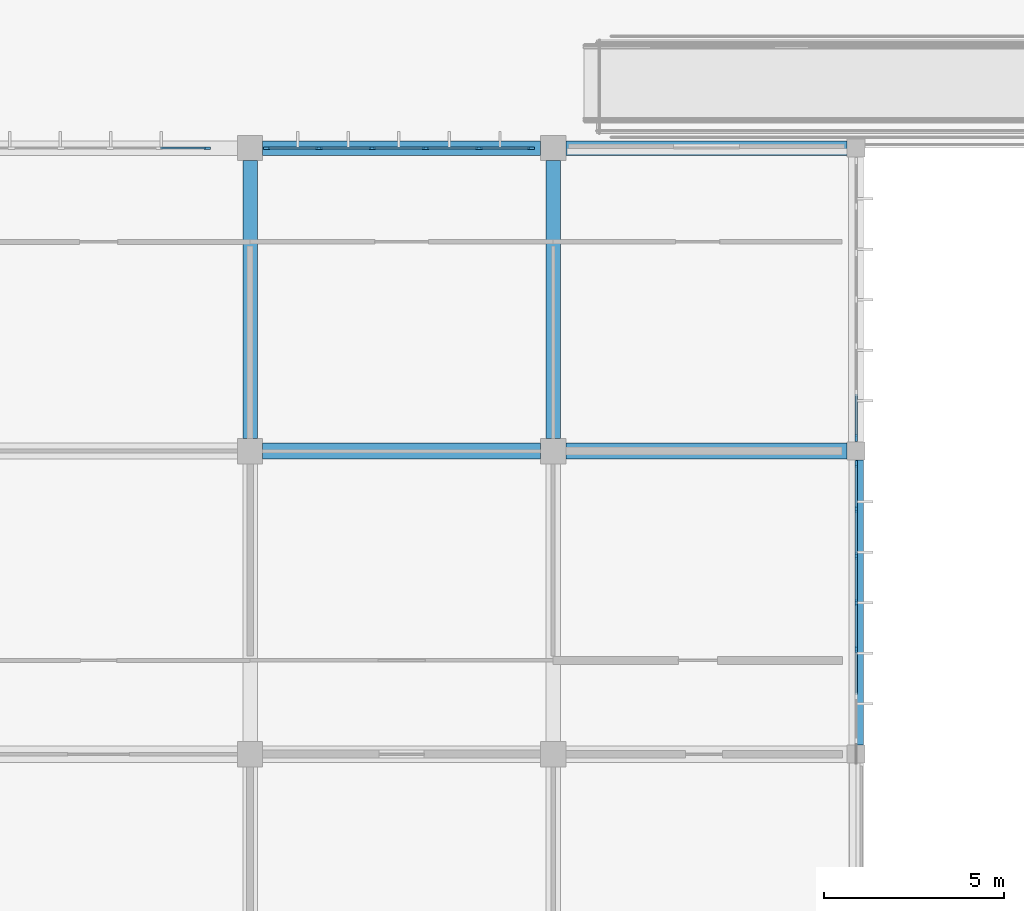
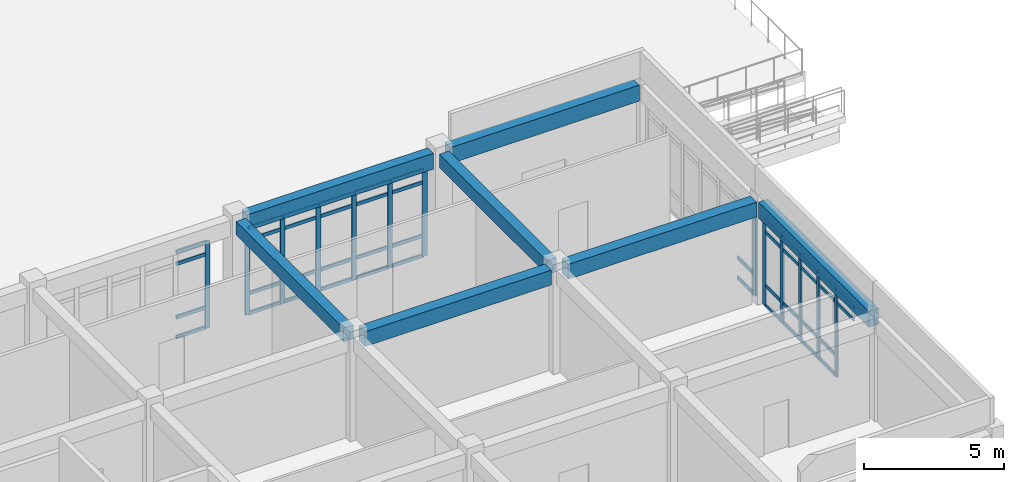
# One storey, part 50 of 138: 57 members, 7 beams, 4 elements without a shape of their own.
"""IFC4 building model written with IfcOpenShell, lengths in metres."""

from ifc_helpers import new_model, si_unit, direction, frame, origin, origin_2d, place, context, subcontext, project, spatial, rectangle, extrude, material, layer, layer_set, material_profile, profile_set, type_object, element, aggregate, save


model = new_model("IFC4")

# Units and contexts
model_context = context("Model", 3, precision=1e-05, world=origin(), true_north=direction((0.0, 1.0)))
body_context = subcontext(model_context, "Body", "Model", "MODEL_VIEW")
ifc_project = project(units=[si_unit("LENGTHUNIT", "METRE"), si_unit("AREAUNIT", "SQUARE_METRE"), si_unit("VOLUMEUNIT", "CUBIC_METRE"), si_unit("PLANEANGLEUNIT", "RADIAN"), si_unit("MASSUNIT", "GRAM", prefix="KILO")], contexts=[model_context])

# Site, building, storey
site_placement = place(None, origin())
site = spatial("IfcSite", under=ifc_project, at=site_placement, CompositionType="ELEMENT")
building_placement = place(site_placement, origin())
building = spatial("IfcBuilding", under=site, at=building_placement, Name="Bramfleet General Hospital", CompositionType="ELEMENT")
storey_placement = place(building_placement, origin())
storey = spatial("IfcBuildingStorey", under=building, at=storey_placement, Name="L00", CompositionType="ELEMENT", Elevation=0.0)

# Beams
ifc_material_1 = material(Name="Concrete C35/45", Category="concrete")
ifc_material_profile_1 = material_profile(ifc_material_1, rectangle(XDim=0.39990234375, YDim=0.60009765625, at=origin_2d()), Name="RC BM 600x400")
ifc_profile_set_1 = profile_set([ifc_material_profile_1], Name="Concrete C35/45")
beam_type_1 = type_object("IfcBeamType", Name="BM-RC600", PredefinedType="BEAM", material=ifc_profile_set_1)
for number, where, z_axis, x_axis, name in (
    (1, (159.60009765625, 17.14990234375, 4.199951171875), (0.0, 1.0, 0.0), (-1.0, 0.0, 0.0), "L00 Grid Beam Y 19-02"),
    (2, (168.0, 17.14990234375, 4.199951171875), (0.0, 1.0, 0.0), (-1.0, 0.0, 0.0), "L00 Grid Beam Y 20-02"),
):
    element("IfcBeam", number, at=place(storey_placement, frame(where, z_axis=z_axis, x_axis=x_axis)), inside=storey, type_object=beam_type_1, Name=name, PredefinedType="BEAM", context=body_context, shape_type="SweptSolid", body=[
        extrude(rectangle(XDim=0.39990234375, YDim=0.60009765625, at=origin_2d()), origin(), (0.0, 0.0, 1.0), 7.7001953125),
    ])
ifc_material_profile_2 = material_profile(ifc_material_1, rectangle(XDim=0.449951171875, YDim=0.64990234375, at=origin_2d()), Name="RC BM 650x450")
ifc_profile_set_2 = profile_set([ifc_material_profile_2], Name="Concrete C35/45")
beam_type_2 = type_object("IfcBeamType", Name="BM-RC650", PredefinedType="BEAM", material=ifc_profile_set_2)
beam_1_placement = place(storey_placement, frame((159.949951171875, 16.800048828125, 4.175048828125), z_axis=(1.0, 0.0, 0.0), x_axis=(0.0, 1.0, 0.0)))
element("IfcBeam", 3, at=beam_1_placement, inside=storey, type_object=beam_type_2, Name="L00 Grid Beam X 19-02", PredefinedType="BEAM", context=body_context, shape_type="SweptSolid", body=[
    extrude(rectangle(XDim=0.449951171875, YDim=0.64990234375, at=origin_2d()), origin(), (0.0, 0.0, 1.0), 7.699951171875),
])
beam_2_placement = place(storey_placement, frame((168.35009765625, 16.800048828125, 4.175048828125), z_axis=(1.0, 0.0, 0.0), x_axis=(0.0, 1.0, 0.0)))
element("IfcBeam", 4, at=beam_2_placement, inside=storey, type_object=beam_type_2, Name="L00 Grid Beam X 20-02", PredefinedType="BEAM", context=body_context, shape_type="SweptSolid", body=[
    extrude(rectangle(XDim=0.449951171875, YDim=0.64990234375, at=origin_2d()), origin(), (0.0, 0.0, 1.0), 7.7998046875),
])
ifc_material_profile_3 = material_profile(ifc_material_1, rectangle(XDim=0.39990234375, YDim=0.699951171875, at=origin_2d()), Name="RC SP 700x400")
ifc_profile_set_3 = profile_set([ifc_material_profile_3], Name="Concrete C35/45")
beam_type_3 = type_object("IfcBeamType", Name="BM-SP700", PredefinedType="SPANDREL", material=ifc_profile_set_3)
beam_3_placement = place(storey_placement, frame((159.949951171875, 25.199951171875, 4.14990234375), z_axis=(1.0, 0.0, 0.0), x_axis=(0.0, 1.0, 0.0)))
element("IfcBeam", 5, at=beam_3_placement, inside=storey, type_object=beam_type_3, Name="L00 Grid Beam X 19-03", PredefinedType="SPANDREL", context=body_context, shape_type="SweptSolid", body=[
    extrude(rectangle(XDim=0.39990234375, YDim=0.699951171875, at=origin_2d()), origin(), (0.0, 0.0, 1.0), 7.699951171875),
])
beam_4_placement = place(storey_placement, frame((168.35009765625, 25.199951171875, 4.14990234375), z_axis=(1.0, 0.0, 0.0), x_axis=(0.0, 1.0, 0.0)))
element("IfcBeam", 6, at=beam_4_placement, inside=storey, type_object=beam_type_3, Name="L00 Grid Beam X 20-03", PredefinedType="SPANDREL", context=body_context, shape_type="SweptSolid", body=[
    extrude(rectangle(XDim=0.39990234375, YDim=0.699951171875, at=origin_2d()), origin(), (0.0, 0.0, 1.0), 7.7998046875),
])
beam_5_placement = place(storey_placement, frame((176.39990234375, 8.64990234375, 4.14990234375), z_axis=(0.0, 1.0, 0.0), x_axis=(-1.0, 0.0, 0.0)))
element("IfcBeam", 7, at=beam_5_placement, inside=storey, type_object=beam_type_3, Name="L00 Grid Beam Y 21-01", PredefinedType="SPANDREL", context=body_context, shape_type="SweptSolid", body=[
    extrude(rectangle(XDim=0.39990234375, YDim=0.699951171875, at=origin_2d()), origin(), (0.0, 0.0, 1.0), 7.900146484375),
])

# Curtain wall, member
ifc_material_2 = material(Name="Anodised aluminium and low-E triple glazing", Category="aluminium")
ifc_layer_1 = layer(ifc_material_2, 0.179931640625, Name="CWT-CW-11")
ifc_layer_set_1 = layer_set([ifc_layer_1], Name="Anodised aluminium and low-E triple glazing")
curtain_wall_type_1 = type_object("IfcCurtainWallType", Name="CWT-CW-11", PredefinedType="USERDEFINED", material=ifc_layer_set_1)
curtain_wall_1_placement = place(storey_placement, origin())
curtain_wall_1 = element("IfcCurtainWall", 8, at=curtain_wall_1_placement, inside=storey, type_object=curtain_wall_type_1, Name="L00 Curtain Wall 29", ObjectType="Stick curtain wall", PredefinedType="USERDEFINED")
ifc_material_3 = material(Name="Structural timber GL28h", Category="wood")
ifc_material_profile_4 = material_profile(ifc_material_3, rectangle(XDim=0.070068359375, YDim=0.18994140625, at=origin_2d()), Name="LARCH 190x70")
ifc_profile_set_4 = profile_set([ifc_material_profile_4], Name="Structural timber GL28h")
member_type_1 = type_object("IfcMemberType", Name="CWM-LARCH450", PredefinedType="MULLION", material=ifc_profile_set_4)
member_1_placement = place(storey_placement, frame((158.4130859375, 25.199951171875, 0.0), z_axis=(0.0, 0.0, 1.0), x_axis=(0.0, 1.0, 0.0)))
member_1 = element("IfcMember", 9, at=member_1_placement, type_object=member_type_1, Name="CW-11 mullion 6", PredefinedType="MULLION", context=body_context, shape_type="SweptSolid", body=[
    extrude(rectangle(XDim=0.070068359375, YDim=0.18994140625, at=origin_2d()), origin(), (0.0, 0.0, 1.0), 3.7900390625),
])

# Curtain wall, members
ifc_layer_2 = layer(ifc_material_2, 0.179931640625, Name="CWT-CW-12")
ifc_layer_set_2 = layer_set([ifc_layer_2], Name="Anodised aluminium and low-E triple glazing")
curtain_wall_type_2 = type_object("IfcCurtainWallType", Name="CWT-CW-12", PredefinedType="USERDEFINED", material=ifc_layer_set_2)
curtain_wall_2_placement = place(storey_placement, origin())
curtain_wall_2 = element("IfcCurtainWall", 10, at=curtain_wall_2_placement, inside=storey, type_object=curtain_wall_type_2, Name="L00 Curtain Wall 30", ObjectType="Stick curtain wall", PredefinedType="USERDEFINED")
member_2_placement = place(storey_placement, frame((160.06005859375, 25.199951171875, 0.0), z_axis=(0.0, 0.0, 1.0), x_axis=(0.0, 1.0, 0.0)))
member_2 = element("IfcMember", 11, at=member_2_placement, type_object=member_type_1, Name="CW-12 mullion 1", PredefinedType="MULLION", context=body_context, shape_type="SweptSolid", body=[
    extrude(rectangle(XDim=0.070068359375, YDim=0.18994140625, at=origin_2d()), origin(), (0.0, 0.0, 1.0), 3.7900390625),
])
member_3_placement = place(storey_placement, frame((161.5048828125, 25.199951171875, 0.0), z_axis=(0.0, 0.0, 1.0), x_axis=(0.0, 1.0, 0.0)))
member_3 = element("IfcMember", 12, at=member_3_placement, type_object=member_type_1, Name="CW-12 mullion 2", PredefinedType="MULLION", context=body_context, shape_type="SweptSolid", body=[
    extrude(rectangle(XDim=0.070068359375, YDim=0.18994140625, at=origin_2d()), origin(), (0.0, 0.0, 1.0), 3.7900390625),
])
member_4_placement = place(storey_placement, frame((162.984619140625, 25.199951171875, 0.0), z_axis=(0.0, 0.0, 1.0), x_axis=(0.0, 1.0, 0.0)))
member_4 = element("IfcMember", 13, at=member_4_placement, type_object=member_type_1, Name="CW-12 mullion 3", PredefinedType="MULLION", context=body_context, shape_type="SweptSolid", body=[
    extrude(rectangle(XDim=0.070068359375, YDim=0.18994140625, at=origin_2d()), origin(), (0.0, 0.0, 1.0), 3.7900390625),
])
member_5_placement = place(storey_placement, frame((164.46435546875, 25.199951171875, 0.0), z_axis=(0.0, 0.0, 1.0), x_axis=(0.0, 1.0, 0.0)))
member_5 = element("IfcMember", 14, at=member_5_placement, type_object=member_type_1, Name="CW-12 mullion 4", PredefinedType="MULLION", context=body_context, shape_type="SweptSolid", body=[
    extrude(rectangle(XDim=0.070068359375, YDim=0.18994140625, at=origin_2d()), origin(), (0.0, 0.0, 1.0), 3.7900390625),
])
member_6_placement = place(storey_placement, frame((165.944091796875, 25.199951171875, 0.0), z_axis=(0.0, 0.0, 1.0), x_axis=(0.0, 1.0, 0.0)))
member_6 = element("IfcMember", 15, at=member_6_placement, type_object=member_type_1, Name="CW-12 mullion 5", PredefinedType="MULLION", context=body_context, shape_type="SweptSolid", body=[
    extrude(rectangle(XDim=0.070068359375, YDim=0.18994140625, at=origin_2d()), origin(), (0.0, 0.0, 1.0), 3.7900390625),
])
member_7_placement = place(storey_placement, frame((167.388916015625, 25.199951171875, 0.0), z_axis=(0.0, 0.0, 1.0), x_axis=(0.0, 1.0, 0.0)))
member_7 = element("IfcMember", 16, at=member_7_placement, type_object=member_type_1, Name="CW-12 mullion 6", PredefinedType="MULLION", context=body_context, shape_type="SweptSolid", body=[
    extrude(rectangle(XDim=0.070068359375, YDim=0.18994140625, at=origin_2d()), origin(), (0.0, 0.0, 1.0), 3.7900390625),
])

# Curtain wall, member
ifc_layer_3 = layer(ifc_material_2, 0.179931640625, Name="CWT-CW-13")
ifc_layer_set_3 = layer_set([ifc_layer_3], Name="Anodised aluminium and low-E triple glazing")
curtain_wall_type_3 = type_object("IfcCurtainWallType", Name="CWT-CW-13", PredefinedType="USERDEFINED", material=ifc_layer_set_3)
curtain_wall_3_placement = place(storey_placement, origin())
curtain_wall_3 = element("IfcCurtainWall", 17, at=curtain_wall_3_placement, inside=storey, type_object=curtain_wall_type_3, Name="L00 Curtain Wall 31", ObjectType="Stick curtain wall", PredefinedType="USERDEFINED")
member_8_placement = place(storey_placement, frame((176.39990234375, 17.159912109375, 0.0), z_axis=(0.0, 0.0, 1.0), x_axis=(1.0, 0.0, 0.0)))
member_8 = element("IfcMember", 18, at=member_8_placement, type_object=member_type_1, Name="CW-13 mullion 7", PredefinedType="MULLION", context=body_context, shape_type="SweptSolid", body=[
    extrude(rectangle(XDim=0.070068359375, YDim=0.18994140625, at=origin_2d()), origin(), (0.0, 0.0, 1.0), 3.7900390625),
])

# Curtain wall, members
ifc_layer_4 = layer(ifc_material_2, 0.179931640625, Name="CWT-CW-14")
ifc_layer_set_4 = layer_set([ifc_layer_4], Name="Anodised aluminium and low-E triple glazing")
curtain_wall_type_4 = type_object("IfcCurtainWallType", Name="CWT-CW-14", PredefinedType="USERDEFINED", material=ifc_layer_set_4)
curtain_wall_4_placement = place(storey_placement, origin())
curtain_wall_4 = element("IfcCurtainWall", 19, at=curtain_wall_4_placement, inside=storey, type_object=curtain_wall_type_4, Name="L00 Curtain Wall 32", ObjectType="Stick curtain wall", PredefinedType="USERDEFINED")
member_9_placement = place(storey_placement, frame((176.39990234375, 16.43994140625, 0.0), z_axis=(0.0, 0.0, 1.0), x_axis=(1.0, 0.0, 0.0)))
member_9 = element("IfcMember", 20, at=member_9_placement, type_object=member_type_1, Name="CW-14 mullion 1", PredefinedType="MULLION", context=body_context, shape_type="SweptSolid", body=[
    extrude(rectangle(XDim=0.070068359375, YDim=0.18994140625, at=origin_2d()), origin(), (0.0, 0.0, 1.0), 3.7900390625),
])
member_10_placement = place(storey_placement, frame((176.39990234375, 15.183349609375, 0.0), z_axis=(0.0, 0.0, 1.0), x_axis=(1.0, 0.0, 0.0)))
member_10 = element("IfcMember", 21, at=member_10_placement, type_object=member_type_1, Name="CW-14 mullion 2", PredefinedType="MULLION", context=body_context, shape_type="SweptSolid", body=[
    extrude(rectangle(XDim=0.070068359375, YDim=0.18994140625, at=origin_2d()), origin(), (0.0, 0.0, 1.0), 3.7900390625),
])
member_11_placement = place(storey_placement, frame((176.39990234375, 13.8916015625, 0.0), z_axis=(0.0, 0.0, 1.0), x_axis=(1.0, 0.0, 0.0)))
member_11 = element("IfcMember", 22, at=member_11_placement, type_object=member_type_1, Name="CW-14 mullion 3", PredefinedType="MULLION", context=body_context, shape_type="SweptSolid", body=[
    extrude(rectangle(XDim=0.070068359375, YDim=0.18994140625, at=origin_2d()), origin(), (0.0, 0.0, 1.0), 3.7900390625),
])
member_12_placement = place(storey_placement, frame((176.39990234375, 12.60009765625, 0.0), z_axis=(0.0, 0.0, 1.0), x_axis=(1.0, 0.0, 0.0)))
member_12 = element("IfcMember", 23, at=member_12_placement, type_object=member_type_1, Name="CW-14 mullion 4", PredefinedType="MULLION", context=body_context, shape_type="SweptSolid", body=[
    extrude(rectangle(XDim=0.070068359375, YDim=0.18994140625, at=origin_2d()), origin(), (0.0, 0.0, 1.0), 3.7900390625),
])
member_13_placement = place(storey_placement, frame((176.39990234375, 11.308349609375, 0.0), z_axis=(0.0, 0.0, 1.0), x_axis=(1.0, 0.0, 0.0)))
member_13 = element("IfcMember", 24, at=member_13_placement, type_object=member_type_1, Name="CW-14 mullion 5", PredefinedType="MULLION", context=body_context, shape_type="SweptSolid", body=[
    extrude(rectangle(XDim=0.070068359375, YDim=0.18994140625, at=origin_2d()), origin(), (0.0, 0.0, 1.0), 3.7900390625),
])

# Member
ifc_material_profile_5 = material_profile(ifc_material_3, rectangle(XDim=0.06494140625, YDim=0.14990234375, at=origin_2d()), Name="LARCH 150x65")
ifc_profile_set_5 = profile_set([ifc_material_profile_5], Name="Structural timber GL28h")
member_type_2 = type_object("IfcMemberType", Name="CWT-LARCH220", PredefinedType="USERDEFINED", material=ifc_profile_set_5)
member_14_placement = place(storey_placement, frame((157.118408203125, 25.199951171875, 0.032470703125), z_axis=(1.0, 0.0, 0.0), x_axis=(0.0, 1.0, 0.0)))
member_14 = element("IfcMember", 25, at=member_14_placement, type_object=member_type_2, Name="CW-11 transom 5.1", ObjectType="TRANSOM", PredefinedType="USERDEFINED", context=body_context, shape_type="SweptSolid", body=[
    extrude(rectangle(XDim=0.06494140625, YDim=0.14990234375, at=origin_2d()), origin(), (0.0, 0.0, 1.0), 1.259521484375),
])

member_15_placement = place(storey_placement, frame((157.118408203125, 25.199951171875, 0.89990234375), z_axis=(1.0, 0.0, 0.0), x_axis=(0.0, 1.0, 0.0)))
member_15 = element("IfcMember", 26, at=member_15_placement, type_object=member_type_2, Name="CW-11 transom 5.2", ObjectType="TRANSOM", PredefinedType="USERDEFINED", context=body_context, shape_type="SweptSolid", body=[
    extrude(rectangle(XDim=0.06494140625, YDim=0.14990234375, at=origin_2d()), origin(), (0.0, 0.0, 1.0), 1.259521484375),
])

member_16_placement = place(storey_placement, frame((157.118408203125, 25.199951171875, 3.239990234375), z_axis=(1.0, 0.0, 0.0), x_axis=(0.0, 1.0, 0.0)))
member_16 = element("IfcMember", 27, at=member_16_placement, type_object=member_type_2, Name="CW-11 transom 5.3", ObjectType="TRANSOM", PredefinedType="USERDEFINED", context=body_context, shape_type="SweptSolid", body=[
    extrude(rectangle(XDim=0.06494140625, YDim=0.14990234375, at=origin_2d()), origin(), (0.0, 0.0, 1.0), 1.259521484375),
])

member_17_placement = place(storey_placement, frame((157.118408203125, 25.199951171875, 3.757568359375), z_axis=(1.0, 0.0, 0.0), x_axis=(0.0, 1.0, 0.0)))
member_17 = element("IfcMember", 28, at=member_17_placement, type_object=member_type_2, Name="CW-11 transom 5.4", ObjectType="TRANSOM", PredefinedType="USERDEFINED", context=body_context, shape_type="SweptSolid", body=[
    extrude(rectangle(XDim=0.06494140625, YDim=0.14990234375, at=origin_2d()), origin(), (0.0, 0.0, 1.0), 1.259521484375),
])

aggregate(curtain_wall_1, [member_1, member_14, member_15, member_16, member_17])

member_18_placement = place(storey_placement, frame((160.094970703125, 25.199951171875, 0.032470703125), z_axis=(1.0, 0.0, 0.0), x_axis=(0.0, 1.0, 0.0)))
member_18 = element("IfcMember", 29, at=member_18_placement, type_object=member_type_2, Name="CW-12 transom 1.1", ObjectType="TRANSOM", PredefinedType="USERDEFINED", context=body_context, shape_type="SweptSolid", body=[
    extrude(rectangle(XDim=0.06494140625, YDim=0.14990234375, at=origin_2d()), origin(), (0.0, 0.0, 1.0), 1.374755859375),
])

member_19_placement = place(storey_placement, frame((160.094970703125, 25.199951171875, 0.89990234375), z_axis=(1.0, 0.0, 0.0), x_axis=(0.0, 1.0, 0.0)))
member_19 = element("IfcMember", 30, at=member_19_placement, type_object=member_type_2, Name="CW-12 transom 1.2", ObjectType="TRANSOM", PredefinedType="USERDEFINED", context=body_context, shape_type="SweptSolid", body=[
    extrude(rectangle(XDim=0.06494140625, YDim=0.14990234375, at=origin_2d()), origin(), (0.0, 0.0, 1.0), 1.374755859375),
])

member_20_placement = place(storey_placement, frame((160.094970703125, 25.199951171875, 3.239990234375), z_axis=(1.0, 0.0, 0.0), x_axis=(0.0, 1.0, 0.0)))
member_20 = element("IfcMember", 31, at=member_20_placement, type_object=member_type_2, Name="CW-12 transom 1.3", ObjectType="TRANSOM", PredefinedType="USERDEFINED", context=body_context, shape_type="SweptSolid", body=[
    extrude(rectangle(XDim=0.06494140625, YDim=0.14990234375, at=origin_2d()), origin(), (0.0, 0.0, 1.0), 1.374755859375),
])

member_21_placement = place(storey_placement, frame((160.094970703125, 25.199951171875, 3.757568359375), z_axis=(1.0, 0.0, 0.0), x_axis=(0.0, 1.0, 0.0)))
member_21 = element("IfcMember", 32, at=member_21_placement, type_object=member_type_2, Name="CW-12 transom 1.4", ObjectType="TRANSOM", PredefinedType="USERDEFINED", context=body_context, shape_type="SweptSolid", body=[
    extrude(rectangle(XDim=0.06494140625, YDim=0.14990234375, at=origin_2d()), origin(), (0.0, 0.0, 1.0), 1.374755859375),
])

member_22_placement = place(storey_placement, frame((161.539794921875, 25.199951171875, 0.032470703125), z_axis=(1.0, 0.0, 0.0), x_axis=(0.0, 1.0, 0.0)))
member_22 = element("IfcMember", 33, at=member_22_placement, type_object=member_type_2, Name="CW-12 transom 2.1", ObjectType="TRANSOM", PredefinedType="USERDEFINED", context=body_context, shape_type="SweptSolid", body=[
    extrude(rectangle(XDim=0.06494140625, YDim=0.14990234375, at=origin_2d()), origin(), (0.0, 0.0, 1.0), 1.409912109375),
])

member_23_placement = place(storey_placement, frame((161.539794921875, 25.199951171875, 0.89990234375), z_axis=(1.0, 0.0, 0.0), x_axis=(0.0, 1.0, 0.0)))
member_23 = element("IfcMember", 34, at=member_23_placement, type_object=member_type_2, Name="CW-12 transom 2.2", ObjectType="TRANSOM", PredefinedType="USERDEFINED", context=body_context, shape_type="SweptSolid", body=[
    extrude(rectangle(XDim=0.06494140625, YDim=0.14990234375, at=origin_2d()), origin(), (0.0, 0.0, 1.0), 1.409912109375),
])

member_24_placement = place(storey_placement, frame((161.539794921875, 25.199951171875, 3.239990234375), z_axis=(1.0, 0.0, 0.0), x_axis=(0.0, 1.0, 0.0)))
member_24 = element("IfcMember", 35, at=member_24_placement, type_object=member_type_2, Name="CW-12 transom 2.3", ObjectType="TRANSOM", PredefinedType="USERDEFINED", context=body_context, shape_type="SweptSolid", body=[
    extrude(rectangle(XDim=0.06494140625, YDim=0.14990234375, at=origin_2d()), origin(), (0.0, 0.0, 1.0), 1.409912109375),
])

member_25_placement = place(storey_placement, frame((161.539794921875, 25.199951171875, 3.757568359375), z_axis=(1.0, 0.0, 0.0), x_axis=(0.0, 1.0, 0.0)))
member_25 = element("IfcMember", 36, at=member_25_placement, type_object=member_type_2, Name="CW-12 transom 2.4", ObjectType="TRANSOM", PredefinedType="USERDEFINED", context=body_context, shape_type="SweptSolid", body=[
    extrude(rectangle(XDim=0.06494140625, YDim=0.14990234375, at=origin_2d()), origin(), (0.0, 0.0, 1.0), 1.409912109375),
])

member_26_placement = place(storey_placement, frame((163.01953125, 25.199951171875, 0.032470703125), z_axis=(1.0, 0.0, 0.0), x_axis=(0.0, 1.0, 0.0)))
member_26 = element("IfcMember", 37, at=member_26_placement, type_object=member_type_2, Name="CW-12 transom 3.1", ObjectType="TRANSOM", PredefinedType="USERDEFINED", context=body_context, shape_type="SweptSolid", body=[
    extrude(rectangle(XDim=0.06494140625, YDim=0.14990234375, at=origin_2d()), origin(), (0.0, 0.0, 1.0), 1.409912109375),
])

member_27_placement = place(storey_placement, frame((163.01953125, 25.199951171875, 0.89990234375), z_axis=(1.0, 0.0, 0.0), x_axis=(0.0, 1.0, 0.0)))
member_27 = element("IfcMember", 38, at=member_27_placement, type_object=member_type_2, Name="CW-12 transom 3.2", ObjectType="TRANSOM", PredefinedType="USERDEFINED", context=body_context, shape_type="SweptSolid", body=[
    extrude(rectangle(XDim=0.06494140625, YDim=0.14990234375, at=origin_2d()), origin(), (0.0, 0.0, 1.0), 1.409912109375),
])

member_28_placement = place(storey_placement, frame((163.01953125, 25.199951171875, 3.239990234375), z_axis=(1.0, 0.0, 0.0), x_axis=(0.0, 1.0, 0.0)))
member_28 = element("IfcMember", 39, at=member_28_placement, type_object=member_type_2, Name="CW-12 transom 3.3", ObjectType="TRANSOM", PredefinedType="USERDEFINED", context=body_context, shape_type="SweptSolid", body=[
    extrude(rectangle(XDim=0.06494140625, YDim=0.14990234375, at=origin_2d()), origin(), (0.0, 0.0, 1.0), 1.409912109375),
])

member_29_placement = place(storey_placement, frame((163.01953125, 25.199951171875, 3.757568359375), z_axis=(1.0, 0.0, 0.0), x_axis=(0.0, 1.0, 0.0)))
member_29 = element("IfcMember", 40, at=member_29_placement, type_object=member_type_2, Name="CW-12 transom 3.4", ObjectType="TRANSOM", PredefinedType="USERDEFINED", context=body_context, shape_type="SweptSolid", body=[
    extrude(rectangle(XDim=0.06494140625, YDim=0.14990234375, at=origin_2d()), origin(), (0.0, 0.0, 1.0), 1.409912109375),
])

member_30_placement = place(storey_placement, frame((164.49951171875, 25.199951171875, 0.032470703125), z_axis=(1.0, 0.0, 0.0), x_axis=(0.0, 1.0, 0.0)))
member_30 = element("IfcMember", 41, at=member_30_placement, type_object=member_type_2, Name="CW-12 transom 4.1", ObjectType="TRANSOM", PredefinedType="USERDEFINED", context=body_context, shape_type="SweptSolid", body=[
    extrude(rectangle(XDim=0.06494140625, YDim=0.14990234375, at=origin_2d()), origin(), (0.0, 0.0, 1.0), 1.40966796875),
])

member_31_placement = place(storey_placement, frame((164.49951171875, 25.199951171875, 0.89990234375), z_axis=(1.0, 0.0, 0.0), x_axis=(0.0, 1.0, 0.0)))
member_31 = element("IfcMember", 42, at=member_31_placement, type_object=member_type_2, Name="CW-12 transom 4.2", ObjectType="TRANSOM", PredefinedType="USERDEFINED", context=body_context, shape_type="SweptSolid", body=[
    extrude(rectangle(XDim=0.06494140625, YDim=0.14990234375, at=origin_2d()), origin(), (0.0, 0.0, 1.0), 1.40966796875),
])

member_32_placement = place(storey_placement, frame((164.49951171875, 25.199951171875, 3.239990234375), z_axis=(1.0, 0.0, 0.0), x_axis=(0.0, 1.0, 0.0)))
member_32 = element("IfcMember", 43, at=member_32_placement, type_object=member_type_2, Name="CW-12 transom 4.3", ObjectType="TRANSOM", PredefinedType="USERDEFINED", context=body_context, shape_type="SweptSolid", body=[
    extrude(rectangle(XDim=0.06494140625, YDim=0.14990234375, at=origin_2d()), origin(), (0.0, 0.0, 1.0), 1.40966796875),
])

member_33_placement = place(storey_placement, frame((164.49951171875, 25.199951171875, 3.757568359375), z_axis=(1.0, 0.0, 0.0), x_axis=(0.0, 1.0, 0.0)))
member_33 = element("IfcMember", 44, at=member_33_placement, type_object=member_type_2, Name="CW-12 transom 4.4", ObjectType="TRANSOM", PredefinedType="USERDEFINED", context=body_context, shape_type="SweptSolid", body=[
    extrude(rectangle(XDim=0.06494140625, YDim=0.14990234375, at=origin_2d()), origin(), (0.0, 0.0, 1.0), 1.40966796875),
])

member_34_placement = place(storey_placement, frame((165.979248046875, 25.199951171875, 0.032470703125), z_axis=(1.0, 0.0, 0.0), x_axis=(0.0, 1.0, 0.0)))
member_34 = element("IfcMember", 45, at=member_34_placement, type_object=member_type_2, Name="CW-12 transom 5.1", ObjectType="TRANSOM", PredefinedType="USERDEFINED", context=body_context, shape_type="SweptSolid", body=[
    extrude(rectangle(XDim=0.06494140625, YDim=0.14990234375, at=origin_2d()), origin(), (0.0, 0.0, 1.0), 1.374755859375),
])

member_35_placement = place(storey_placement, frame((165.979248046875, 25.199951171875, 0.89990234375), z_axis=(1.0, 0.0, 0.0), x_axis=(0.0, 1.0, 0.0)))
member_35 = element("IfcMember", 46, at=member_35_placement, type_object=member_type_2, Name="CW-12 transom 5.2", ObjectType="TRANSOM", PredefinedType="USERDEFINED", context=body_context, shape_type="SweptSolid", body=[
    extrude(rectangle(XDim=0.06494140625, YDim=0.14990234375, at=origin_2d()), origin(), (0.0, 0.0, 1.0), 1.374755859375),
])

member_36_placement = place(storey_placement, frame((165.979248046875, 25.199951171875, 3.239990234375), z_axis=(1.0, 0.0, 0.0), x_axis=(0.0, 1.0, 0.0)))
member_36 = element("IfcMember", 47, at=member_36_placement, type_object=member_type_2, Name="CW-12 transom 5.3", ObjectType="TRANSOM", PredefinedType="USERDEFINED", context=body_context, shape_type="SweptSolid", body=[
    extrude(rectangle(XDim=0.06494140625, YDim=0.14990234375, at=origin_2d()), origin(), (0.0, 0.0, 1.0), 1.374755859375),
])

member_37_placement = place(storey_placement, frame((165.979248046875, 25.199951171875, 3.757568359375), z_axis=(1.0, 0.0, 0.0), x_axis=(0.0, 1.0, 0.0)))
member_37 = element("IfcMember", 48, at=member_37_placement, type_object=member_type_2, Name="CW-12 transom 5.4", ObjectType="TRANSOM", PredefinedType="USERDEFINED", context=body_context, shape_type="SweptSolid", body=[
    extrude(rectangle(XDim=0.06494140625, YDim=0.14990234375, at=origin_2d()), origin(), (0.0, 0.0, 1.0), 1.374755859375),
])

aggregate(curtain_wall_2, [member_2, member_3, member_4, member_5, member_6, member_7, member_18, member_19, member_20, member_21, member_22, member_23, member_24, member_25, member_26, member_27, member_28, member_29, member_30, member_31, member_32, member_33, member_34, member_35, member_36, member_37])

member_38_placement = place(storey_placement, frame((176.39990234375, 18.381591796875, 0.032470703125), z_axis=(0.0, -1.0, 0.0), x_axis=(1.0, 0.0, 0.0)))
member_38 = element("IfcMember", 49, at=member_38_placement, type_object=member_type_2, Name="CW-13 transom 6.1", ObjectType="TRANSOM", PredefinedType="USERDEFINED", context=body_context, shape_type="SweptSolid", body=[
    extrude(rectangle(XDim=0.06494140625, YDim=0.14990234375, at=origin_2d()), origin(), (0.0, 0.0, 1.0), 1.1865234375),
])

member_39_placement = place(storey_placement, frame((176.39990234375, 18.381591796875, 0.89990234375), z_axis=(0.0, -1.0, 0.0), x_axis=(1.0, 0.0, 0.0)))
member_39 = element("IfcMember", 50, at=member_39_placement, type_object=member_type_2, Name="CW-13 transom 6.2", ObjectType="TRANSOM", PredefinedType="USERDEFINED", context=body_context, shape_type="SweptSolid", body=[
    extrude(rectangle(XDim=0.06494140625, YDim=0.14990234375, at=origin_2d()), origin(), (0.0, 0.0, 1.0), 1.1865234375),
])

aggregate(curtain_wall_3, [member_8, member_38, member_39])

member_40_placement = place(storey_placement, frame((176.39990234375, 16.405029296875, 0.032470703125), z_axis=(0.0, -1.0, 0.0), x_axis=(1.0, 0.0, 0.0)))
member_40 = element("IfcMember", 51, at=member_40_placement, type_object=member_type_2, Name="CW-14 transom 1.1", ObjectType="TRANSOM", PredefinedType="USERDEFINED", context=body_context, shape_type="SweptSolid", body=[
    extrude(rectangle(XDim=0.06494140625, YDim=0.14990234375, at=origin_2d()), origin(), (0.0, 0.0, 1.0), 1.186767578125),
])

member_41_placement = place(storey_placement, frame((176.39990234375, 16.405029296875, 0.89990234375), z_axis=(0.0, -1.0, 0.0), x_axis=(1.0, 0.0, 0.0)))
member_41 = element("IfcMember", 52, at=member_41_placement, type_object=member_type_2, Name="CW-14 transom 1.2", ObjectType="TRANSOM", PredefinedType="USERDEFINED", context=body_context, shape_type="SweptSolid", body=[
    extrude(rectangle(XDim=0.06494140625, YDim=0.14990234375, at=origin_2d()), origin(), (0.0, 0.0, 1.0), 1.186767578125),
])

member_42_placement = place(storey_placement, frame((176.39990234375, 16.405029296875, 3.239990234375), z_axis=(0.0, -1.0, 0.0), x_axis=(1.0, 0.0, 0.0)))
member_42 = element("IfcMember", 53, at=member_42_placement, type_object=member_type_2, Name="CW-14 transom 1.3", ObjectType="TRANSOM", PredefinedType="USERDEFINED", context=body_context, shape_type="SweptSolid", body=[
    extrude(rectangle(XDim=0.06494140625, YDim=0.14990234375, at=origin_2d()), origin(), (0.0, 0.0, 1.0), 1.186767578125),
])

member_43_placement = place(storey_placement, frame((176.39990234375, 16.405029296875, 3.757568359375), z_axis=(0.0, -1.0, 0.0), x_axis=(1.0, 0.0, 0.0)))
member_43 = element("IfcMember", 54, at=member_43_placement, type_object=member_type_2, Name="CW-14 transom 1.4", ObjectType="TRANSOM", PredefinedType="USERDEFINED", context=body_context, shape_type="SweptSolid", body=[
    extrude(rectangle(XDim=0.06494140625, YDim=0.14990234375, at=origin_2d()), origin(), (0.0, 0.0, 1.0), 1.186767578125),
])

member_44_placement = place(storey_placement, frame((176.39990234375, 15.1484375, 0.032470703125), z_axis=(0.0, -1.0, 0.0), x_axis=(1.0, 0.0, 0.0)))
member_44 = element("IfcMember", 55, at=member_44_placement, type_object=member_type_2, Name="CW-14 transom 2.1", ObjectType="TRANSOM", PredefinedType="USERDEFINED", context=body_context, shape_type="SweptSolid", body=[
    extrude(rectangle(XDim=0.06494140625, YDim=0.14990234375, at=origin_2d()), origin(), (0.0, 0.0, 1.0), 1.2216796875),
])

member_45_placement = place(storey_placement, frame((176.39990234375, 15.1484375, 0.89990234375), z_axis=(0.0, -1.0, 0.0), x_axis=(1.0, 0.0, 0.0)))
member_45 = element("IfcMember", 56, at=member_45_placement, type_object=member_type_2, Name="CW-14 transom 2.2", ObjectType="TRANSOM", PredefinedType="USERDEFINED", context=body_context, shape_type="SweptSolid", body=[
    extrude(rectangle(XDim=0.06494140625, YDim=0.14990234375, at=origin_2d()), origin(), (0.0, 0.0, 1.0), 1.2216796875),
])

member_46_placement = place(storey_placement, frame((176.39990234375, 15.1484375, 3.239990234375), z_axis=(0.0, -1.0, 0.0), x_axis=(1.0, 0.0, 0.0)))
member_46 = element("IfcMember", 57, at=member_46_placement, type_object=member_type_2, Name="CW-14 transom 2.3", ObjectType="TRANSOM", PredefinedType="USERDEFINED", context=body_context, shape_type="SweptSolid", body=[
    extrude(rectangle(XDim=0.06494140625, YDim=0.14990234375, at=origin_2d()), origin(), (0.0, 0.0, 1.0), 1.2216796875),
])

member_47_placement = place(storey_placement, frame((176.39990234375, 15.1484375, 3.757568359375), z_axis=(0.0, -1.0, 0.0), x_axis=(1.0, 0.0, 0.0)))
member_47 = element("IfcMember", 58, at=member_47_placement, type_object=member_type_2, Name="CW-14 transom 2.4", ObjectType="TRANSOM", PredefinedType="USERDEFINED", context=body_context, shape_type="SweptSolid", body=[
    extrude(rectangle(XDim=0.06494140625, YDim=0.14990234375, at=origin_2d()), origin(), (0.0, 0.0, 1.0), 1.2216796875),
])

member_48_placement = place(storey_placement, frame((176.39990234375, 13.856689453125, 0.032470703125), z_axis=(0.0, -1.0, 0.0), x_axis=(1.0, 0.0, 0.0)))
member_48 = element("IfcMember", 59, at=member_48_placement, type_object=member_type_2, Name="CW-14 transom 3.1", ObjectType="TRANSOM", PredefinedType="USERDEFINED", context=body_context, shape_type="SweptSolid", body=[
    extrude(rectangle(XDim=0.06494140625, YDim=0.14990234375, at=origin_2d()), origin(), (0.0, 0.0, 1.0), 1.2216796875),
])

member_49_placement = place(storey_placement, frame((176.39990234375, 13.856689453125, 0.89990234375), z_axis=(0.0, -1.0, 0.0), x_axis=(1.0, 0.0, 0.0)))
member_49 = element("IfcMember", 60, at=member_49_placement, type_object=member_type_2, Name="CW-14 transom 3.2", ObjectType="TRANSOM", PredefinedType="USERDEFINED", context=body_context, shape_type="SweptSolid", body=[
    extrude(rectangle(XDim=0.06494140625, YDim=0.14990234375, at=origin_2d()), origin(), (0.0, 0.0, 1.0), 1.2216796875),
])

member_50_placement = place(storey_placement, frame((176.39990234375, 13.856689453125, 3.239990234375), z_axis=(0.0, -1.0, 0.0), x_axis=(1.0, 0.0, 0.0)))
member_50 = element("IfcMember", 61, at=member_50_placement, type_object=member_type_2, Name="CW-14 transom 3.3", ObjectType="TRANSOM", PredefinedType="USERDEFINED", context=body_context, shape_type="SweptSolid", body=[
    extrude(rectangle(XDim=0.06494140625, YDim=0.14990234375, at=origin_2d()), origin(), (0.0, 0.0, 1.0), 1.2216796875),
])

member_51_placement = place(storey_placement, frame((176.39990234375, 13.856689453125, 3.757568359375), z_axis=(0.0, -1.0, 0.0), x_axis=(1.0, 0.0, 0.0)))
member_51 = element("IfcMember", 62, at=member_51_placement, type_object=member_type_2, Name="CW-14 transom 3.4", ObjectType="TRANSOM", PredefinedType="USERDEFINED", context=body_context, shape_type="SweptSolid", body=[
    extrude(rectangle(XDim=0.06494140625, YDim=0.14990234375, at=origin_2d()), origin(), (0.0, 0.0, 1.0), 1.2216796875),
])

member_52_placement = place(storey_placement, frame((176.39990234375, 12.56494140625, 0.032470703125), z_axis=(0.0, -1.0, 0.0), x_axis=(1.0, 0.0, 0.0)))
member_52 = element("IfcMember", 63, at=member_52_placement, type_object=member_type_2, Name="CW-14 transom 4.1", ObjectType="TRANSOM", PredefinedType="USERDEFINED", context=body_context, shape_type="SweptSolid", body=[
    extrude(rectangle(XDim=0.06494140625, YDim=0.14990234375, at=origin_2d()), origin(), (0.0, 0.0, 1.0), 1.2216796875),
])

member_53_placement = place(storey_placement, frame((176.39990234375, 12.56494140625, 0.89990234375), z_axis=(0.0, -1.0, 0.0), x_axis=(1.0, 0.0, 0.0)))
member_53 = element("IfcMember", 64, at=member_53_placement, type_object=member_type_2, Name="CW-14 transom 4.2", ObjectType="TRANSOM", PredefinedType="USERDEFINED", context=body_context, shape_type="SweptSolid", body=[
    extrude(rectangle(XDim=0.06494140625, YDim=0.14990234375, at=origin_2d()), origin(), (0.0, 0.0, 1.0), 1.2216796875),
])

member_54_placement = place(storey_placement, frame((176.39990234375, 12.56494140625, 3.239990234375), z_axis=(0.0, -1.0, 0.0), x_axis=(1.0, 0.0, 0.0)))
member_54 = element("IfcMember", 65, at=member_54_placement, type_object=member_type_2, Name="CW-14 transom 4.3", ObjectType="TRANSOM", PredefinedType="USERDEFINED", context=body_context, shape_type="SweptSolid", body=[
    extrude(rectangle(XDim=0.06494140625, YDim=0.14990234375, at=origin_2d()), origin(), (0.0, 0.0, 1.0), 1.2216796875),
])

member_55_placement = place(storey_placement, frame((176.39990234375, 12.56494140625, 3.757568359375), z_axis=(0.0, -1.0, 0.0), x_axis=(1.0, 0.0, 0.0)))
member_55 = element("IfcMember", 66, at=member_55_placement, type_object=member_type_2, Name="CW-14 transom 4.4", ObjectType="TRANSOM", PredefinedType="USERDEFINED", context=body_context, shape_type="SweptSolid", body=[
    extrude(rectangle(XDim=0.06494140625, YDim=0.14990234375, at=origin_2d()), origin(), (0.0, 0.0, 1.0), 1.2216796875),
])

member_56_placement = place(storey_placement, frame((176.39990234375, 11.2734375, 3.239990234375), z_axis=(0.0, -1.0, 0.0), x_axis=(1.0, 0.0, 0.0)))
member_56 = element("IfcMember", 67, at=member_56_placement, type_object=member_type_2, Name="CW-14 transom 5.3", ObjectType="TRANSOM", PredefinedType="USERDEFINED", context=body_context, shape_type="SweptSolid", body=[
    extrude(rectangle(XDim=0.06494140625, YDim=0.14990234375, at=origin_2d()), origin(), (0.0, 0.0, 1.0), 1.2216796875),
])

member_57_placement = place(storey_placement, frame((176.39990234375, 11.2734375, 3.757568359375), z_axis=(0.0, -1.0, 0.0), x_axis=(1.0, 0.0, 0.0)))
member_57 = element("IfcMember", 68, at=member_57_placement, type_object=member_type_2, Name="CW-14 transom 5.4", ObjectType="TRANSOM", PredefinedType="USERDEFINED", context=body_context, shape_type="SweptSolid", body=[
    extrude(rectangle(XDim=0.06494140625, YDim=0.14990234375, at=origin_2d()), origin(), (0.0, 0.0, 1.0), 1.2216796875),
])

aggregate(curtain_wall_4, [member_9, member_10, member_11, member_12, member_13, member_40, member_41, member_42, member_43, member_44, member_45, member_46, member_47, member_48, member_49, member_50, member_51, member_52, member_53, member_54, member_55, member_56, member_57])

save(model, "model.ifc")
